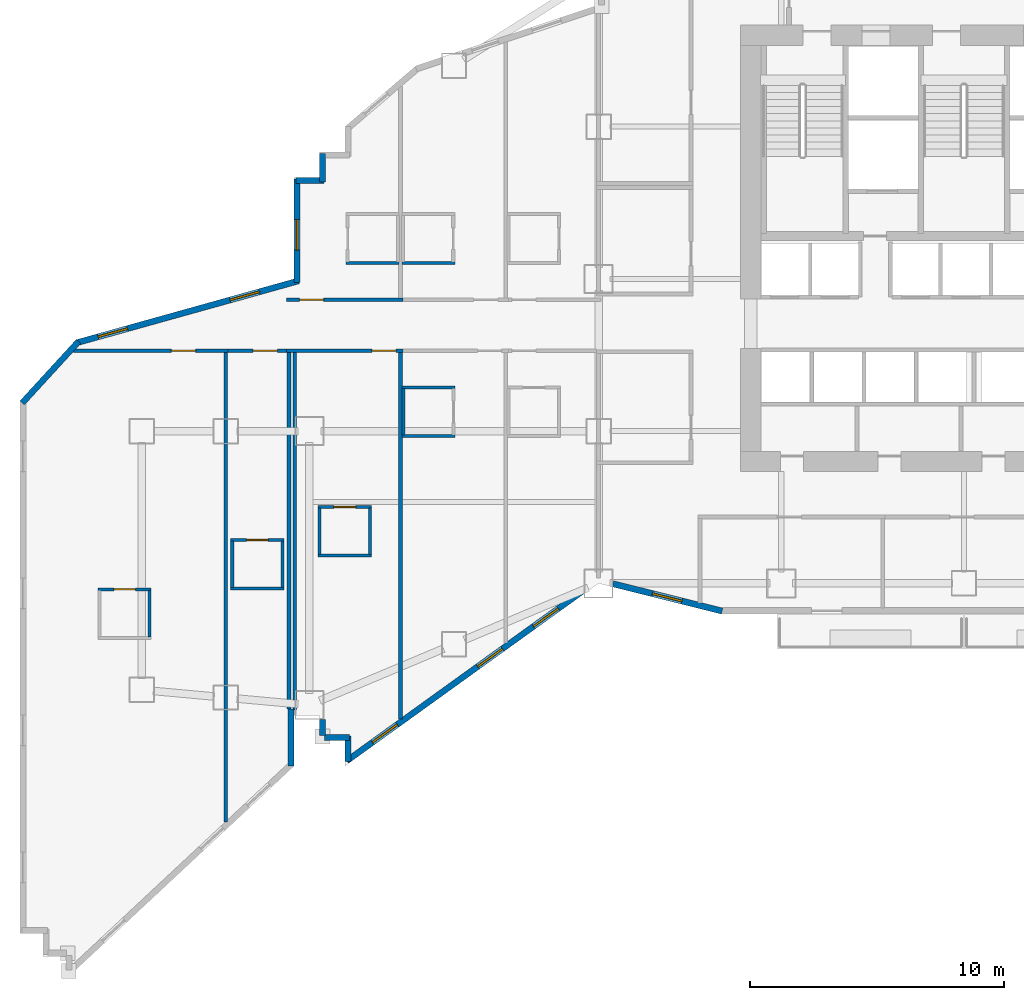
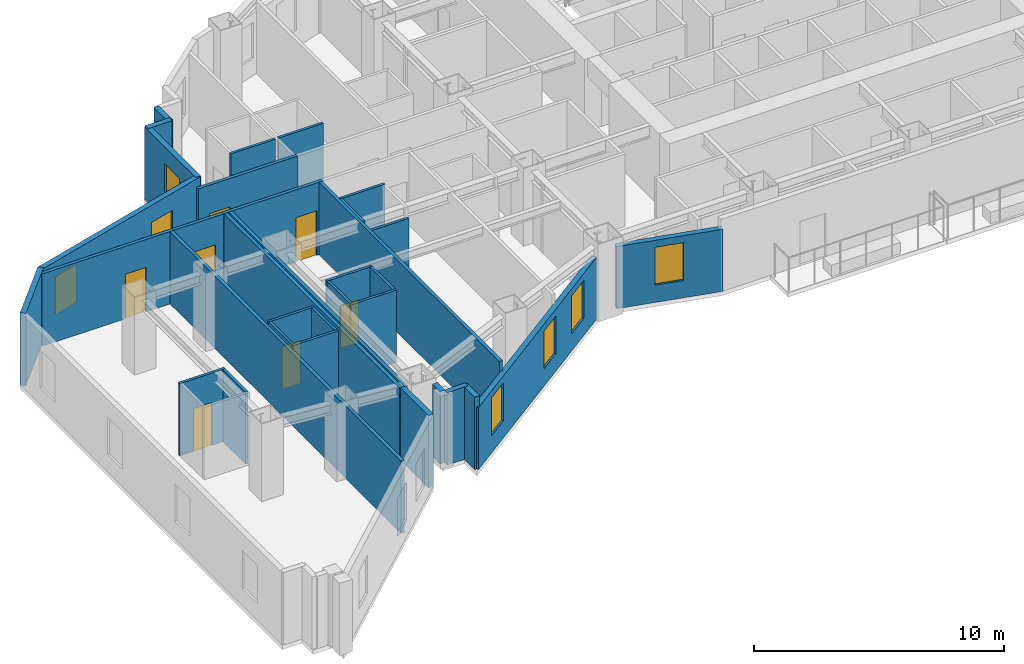
# One storey, part 7 of 16: 34 walls, 7 doors, 7 windows, 14 openings.
"""IFC4 building model written with IfcOpenShell, lengths in metres."""

import ifcopenshell
import ifcopenshell.guid

model = None  # the IFC model being written
_history = None  # IfcOwnerHistory: only IFC2X3 demands one
_inside = {}  # id of a spatial element -> (the spatial element, [elements in it])
_under = {}  # id of a project, library or spatial element -> (it, [spatial elements below it])
_declared = {}  # id of a project -> (the project, [libraries it declares])
_typed = {}  # id of a type object -> (the type object, [elements of that type])
_made_of = {}  # id of a material, layer set ... -> (it, [elements and type objects made of it])


def new_model(schema):
    """Start an empty IFC model of exactly this schema.

    Asked for "IFC4X3", IfcOpenShell would pick the latest addendum, in which some entities
    have other attributes; the version numbers below select the first issue.
    IFC2X3 requires an IfcOwnerHistory on every rooted entity: one is made here for all.
    """
    global model, _history
    if schema == "IFC4X3":
        model = ifcopenshell.file(schema_version=(4, 3, 0, 0))
    else:
        model = ifcopenshell.file(schema=schema)
    _inside.clear()
    _under.clear()
    _declared.clear()
    _typed.clear()
    _made_of.clear()
    _history = None
    if model.schema == "IFC2X3":
        org = make("IfcOrganization", Name="unknown")
        user = make(
            "IfcPersonAndOrganization",
            ThePerson=make("IfcPerson", FamilyName="unknown"),
            TheOrganization=org,
        )
        app = make(
            "IfcApplication",
            ApplicationDeveloper=org,
            Version="unknown",
            ApplicationFullName="unknown",
            ApplicationIdentifier="unknown",
        )
        _history = make(
            "IfcOwnerHistory",
            OwningUser=user,
            OwningApplication=app,
            ChangeAction="ADDED",
            CreationDate=0,
        )
    return model


def make(cls, **values):
    """One entity of the class cls with the attributes given. An attribute that is None is left unset."""
    return model.create_entity(
        cls, **{name: value for name, value in values.items() if value is not None}
    )


def rooted(cls, **values):
    """An entity with a GlobalId (a new one), such as an element, a storey or a relation."""
    return make(cls, GlobalId=ifcopenshell.guid.new(), OwnerHistory=_history, **values)


def si_unit(unit_type, name, prefix=None):
    """IfcSIUnit, for example si_unit("LENGTHUNIT", "METRE", prefix="MILLI")."""
    return make("IfcSIUnit", UnitType=unit_type, Prefix=prefix, Name=name)


def assignment(units):
    """IfcUnitAssignment: the units of a project."""
    return None if units is None else make("IfcUnitAssignment", Units=units)


def point(xyz):
    """IfcCartesianPoint."""
    return None if xyz is None else make("IfcCartesianPoint", Coordinates=xyz)


def direction(xyz):
    """IfcDirection."""
    return None if xyz is None else make("IfcDirection", DirectionRatios=xyz)


def frame(location, z_axis=None, x_axis=None):
    """IfcAxis2Placement3D, a coordinate frame: its origin and axes. An axis left out is left unset."""
    return make(
        "IfcAxis2Placement3D",
        Location=point(location),
        Axis=direction(z_axis),
        RefDirection=direction(x_axis),
    )


def frame_2d(location, x_axis=None):
    """IfcAxis2Placement2D, a coordinate frame in the plane: its origin and x axis."""
    return make(
        "IfcAxis2Placement2D", Location=point(location), RefDirection=direction(x_axis)
    )


def origin():
    """The frame at (0, 0, 0) with its axes left unset."""
    return frame((0.0, 0.0, 0.0))


def place(relative_to, where):
    """IfcLocalPlacement: puts the frame where relative to a parent placement (None: the world)."""
    return make(
        "IfcLocalPlacement", PlacementRelTo=relative_to, RelativePlacement=where
    )


def context(
    kind, dimensions, precision=None, world=None, true_north=None, identifier=None
):
    """IfcGeometricRepresentationContext, for example the 3D "Model" context."""
    return make(
        "IfcGeometricRepresentationContext",
        ContextIdentifier=identifier,
        ContextType=kind,
        CoordinateSpaceDimension=dimensions,
        Precision=precision,
        WorldCoordinateSystem=world,
        TrueNorth=true_north,
    )


def subcontext(parent, identifier, kind, view, scale=None):
    """IfcGeometricRepresentationSubContext, for example "Body" below "Model"."""
    return make(
        "IfcGeometricRepresentationSubContext",
        ContextIdentifier=identifier,
        ContextType=kind,
        ParentContext=parent,
        TargetScale=scale,
        TargetView=view,
    )


def project(units=None, contexts=None):
    """IfcProject with its units and contexts."""
    return rooted(
        "IfcProject",
        Name="project",
        RepresentationContexts=contexts,
        UnitsInContext=assignment(units),
    )


def spatial(cls, under=None, at=None, **own):
    """A site, building, storey or space (cls), placed at a placement, below another one or the project."""
    s = rooted(cls, ObjectPlacement=at, **own)
    if under is not None:
        _under.setdefault(under.id(), (under, []))[1].append(s)
    return s


def profile(cls, at=None, kind="AREA", **sizes):
    """A parametric profile (cls). Its sizes go by their IFC names, for example OverallWidth=200.0."""
    return make(cls, ProfileType=kind, Position=at, **sizes)


def rectangle(**sizes):
    """IfcRectangleProfileDef."""
    return profile("IfcRectangleProfileDef", **sizes)


def extrude(swept, where, along, depth):
    """IfcExtrudedAreaSolid: the profile swept, set in the frame where, extruded along a direction by depth."""
    return make(
        "IfcExtrudedAreaSolid",
        SweptArea=swept,
        Position=where,
        ExtrudedDirection=direction(along),
        Depth=depth,
    )


def shape(context_of_items, identifier, shape_type, items):
    """IfcShapeRepresentation: the items that make up one representation, for example the "Body"."""
    return make(
        "IfcShapeRepresentation",
        ContextOfItems=context_of_items,
        RepresentationIdentifier=identifier,
        RepresentationType=shape_type,
        Items=items,
    )


def material(Name=None, Category=None):
    """IfcMaterial."""
    return make("IfcMaterial", Name=Name, Category=Category)


def layer(
    of_material, thickness, ventilated=None, Name=None, Category=None, Priority=None
):
    """IfcMaterialLayer: one layer of a wall or slab, of a material (None: an air gap)."""
    return make(
        "IfcMaterialLayer",
        Material=of_material,
        LayerThickness=thickness,
        IsVentilated=ventilated,
        Name=Name,
        Category=Category,
        Priority=Priority,
    )


def layer_set(layers, Name=None):
    """IfcMaterialLayerSet."""
    return make("IfcMaterialLayerSet", MaterialLayers=layers, LayerSetName=Name)


def made_of(thing, what):
    """Note that an element or type object is made of a material, layer set ...; save() writes the relation."""
    if what is not None:
        _made_of.setdefault(what.id(), (what, []))[1].append(thing)
    return thing


def type_object(cls, material=None, **own):
    """A type object (cls), such as IfcWallType, which elements share."""
    return made_of(rooted(cls, **own), material)


def element(
    cls,
    number,
    at=None,
    inside=None,
    cuts=None,
    type_object=None,
    material=None,
    context=None,
    identifier="Body",
    shape_type=None,
    held_by="IfcProductDefinitionShape",
    body=None,
    shapes=None,
    **own,
):
    """One element of the class cls, such as IfcWall. Its Tag is "e" and its number.

    at: its placement. inside: the storey or other place that contains it. cuts: it is an
    opening in that element (IfcRelVoidsElement). A single representation is given by context,
    identifier, shape_type and body (its items); several are given by shapes. held_by: the class
    of the entity that holds the representations. save() writes the other relations.
    """
    e = rooted(cls, Tag="e%d" % number, ObjectPlacement=at, **own)
    if body is not None:
        shapes = [shape(context, identifier, shape_type, body)]
    if shapes is not None:
        e.Representation = make(held_by, Representations=shapes)
    if inside is not None:
        _inside.setdefault(inside.id(), (inside, []))[1].append(e)
    if cuts is not None:
        rooted(
            "IfcRelVoidsElement", RelatingBuildingElement=cuts, RelatedOpeningElement=e
        )
    if type_object is not None:
        _typed.setdefault(type_object.id(), (type_object, []))[1].append(e)
    return made_of(e, material)


def fill(opening, filler):
    """IfcRelFillsElement: the door or window that sits in an opening."""
    return rooted(
        "IfcRelFillsElement",
        RelatingOpeningElement=opening,
        RelatedBuildingElement=filler,
    )


def aggregate(whole, parts):
    """IfcRelAggregates: a whole, such as a stair, and the parts it consists of."""
    return rooted("IfcRelAggregates", RelatingObject=whole, RelatedObjects=parts)


def save(model, path):
    """Write the relations noted so far, then the file.

    IfcRelAggregates (storeys below a building ...), IfcRelContainedInSpatialStructure (elements
    in a storey), IfcRelDefinesByType, IfcRelAssociatesMaterial and IfcRelDeclares: one each for
    every whole, place, type object, material and project.
    """
    for whole, parts in _under.values():
        aggregate(whole, parts)
    for where, things in _inside.values():
        rooted(
            "IfcRelContainedInSpatialStructure",
            RelatedElements=things,
            RelatingStructure=where,
        )
    for kind, things in _typed.values():
        rooted("IfcRelDefinesByType", RelatedObjects=things, RelatingType=kind)
    for what, things in _made_of.values():
        rooted("IfcRelAssociatesMaterial", RelatedObjects=things, RelatingMaterial=what)
    for by, libraries in _declared.values():
        rooted("IfcRelDeclares", RelatingContext=by, RelatedDefinitions=libraries)
    model.write(path)


model = new_model("IFC4")

# Units and contexts
model_context = context("Model", 3, precision=1e-05, world=origin(), true_north=direction((0.0, 1.0)))
body_context = subcontext(model_context, "Body", "Model", "MODEL_VIEW")
ifc_project = project(units=[si_unit("LENGTHUNIT", "METRE"), si_unit("AREAUNIT", "SQUARE_METRE"), si_unit("VOLUMEUNIT", "CUBIC_METRE"), si_unit("PLANEANGLEUNIT", "RADIAN"), si_unit("MASSUNIT", "GRAM", prefix="KILO")], contexts=[model_context])

# Site, building, storey
site_placement = place(None, origin())
site = spatial("IfcSite", under=ifc_project, at=site_placement, CompositionType="ELEMENT")
building_placement = place(site_placement, origin())
building = spatial("IfcBuilding", under=site, at=building_placement, Name="Haolan Belvedere Tower", CompositionType="ELEMENT")
storey_placement = place(building_placement, frame((0.0, 0.0, 85.60009765625)))
storey = spatial("IfcBuildingStorey", under=building, at=storey_placement, Name="L21", CompositionType="ELEMENT", Elevation=85.60009765625)

# Walls
ifc_material_1 = material(Name="Precast concrete C40/50", Category="concrete")
ifc_layer_1 = layer(ifc_material_1, 0.239990234375, Name="Precast concrete C40/50")
ifc_layer_set_1 = layer_set([ifc_layer_1], Name="Precast concrete C40/50")
wall_type_1 = type_object("IfcWallType", Name="WL-EXT-240", PredefinedType="SOLIDWALL", material=ifc_layer_set_1)
wall_1_placement = place(storey_placement, frame((11.8798828125, 14.397216796875, 0.0), z_axis=(0.0, 0.0, 1.0), x_axis=(0.0, 1.0, 0.0)))
element("IfcWall", 1, at=wall_1_placement, inside=storey, type_object=wall_type_1, Name="L21 pale-metal exterior spandrel wall 6.1", PredefinedType="SOLIDWALL", context=body_context, shape_type="SweptSolid", body=[
    extrude(rectangle(XDim=2.24267578125, YDim=0.239990234375, at=frame_2d((1.121337890625, 0.0))), origin(), (0.0, 0.0, 1.0), 3.539794921875),
])
wall_2_placement = place(storey_placement, frame((13.1201171875, 16.23291015625, 0.0), z_axis=(0.0, 0.0, 1.0), x_axis=(0.0, -1.0, 0.0)))
element("IfcWall", 2, at=wall_2_placement, inside=storey, type_object=wall_type_1, Name="L21 pale-metal exterior spandrel wall 8.1", PredefinedType="SOLIDWALL", context=body_context, shape_type="SweptSolid", body=[
    extrude(rectangle(XDim=0.6279296875, YDim=0.239990234375, at=frame_2d((0.31396484375, 0.0))), origin(), (0.0, 0.0, 1.0), 3.539794921875),
])
wall_3_placement = place(storey_placement, frame((13.205078125, 15.52001953125, 0.0), z_axis=(0.0, 0.0, 1.0), x_axis=(1.0, 0.0, 0.0)))
element("IfcWall", 3, at=wall_3_placement, inside=storey, type_object=wall_type_1, Name="L21 pale-metal exterior spandrel wall 9.1", PredefinedType="SOLIDWALL", context=body_context, shape_type="SweptSolid", body=[
    extrude(rectangle(XDim=0.969970703125, YDim=0.239990234375, at=frame_2d((0.48486328125, 0.0))), origin(), (0.0, 0.0, 1.0), 3.539794921875),
])
wall_4_placement = place(storey_placement, frame((14.1201171875, 15.574951171875, 0.0), z_axis=(0.0, 0.0, 1.0), x_axis=(0.0, -1.0, 0.0)))
element("IfcWall", 4, at=wall_4_placement, inside=storey, type_object=wall_type_1, Name="L21 pale-metal exterior spandrel wall 10.1", PredefinedType="SOLIDWALL", context=body_context, shape_type="SweptSolid", body=[
    extrude(rectangle(XDim=0.99560546875, YDim=0.239990234375, at=frame_2d((0.497802734375, 0.0))), origin(), (0.0, 0.0, 1.0), 3.539794921875),
])

# Wall, openings, windows
wall_5_placement = place(storey_placement, frame((14.075439453125, 14.602294921875, 0.0), z_axis=(0.0, 0.0, 1.0), x_axis=(0.811543176492, 0.58429245476, 0.0)))
wall_5 = element("IfcWall", 5, at=wall_5_placement, inside=storey, type_object=wall_type_1, Name="L21 pale-metal exterior spandrel wall 11.1", PredefinedType="SOLIDWALL", context=body_context, shape_type="SweptSolid", body=[
    extrude(rectangle(XDim=11.53076171875, YDim=0.239990234375, at=frame_2d((5.765380859375, 0.0))), origin(), (0.0, 0.0, 1.0), 3.036865234375),
])
opening_1_placement = place(wall_5_placement, frame((1.246337890625, 0.0, 0.85009765625)))
opening_1 = element("IfcOpeningElement", 6, at=opening_1_placement, cuts=wall_5, Name="Opening W-01", PredefinedType="OPENING", context=body_context, shape_type="SweptSolid", body=[
    extrude(rectangle(XDim=1.199951171875, YDim=1.85009765625, at=frame_2d((0.60009765625, 0.925048828125))), frame((0.0, 0.1298828125, 0.0), z_axis=(0.0, -1.0, 0.0), x_axis=(1.0, 0.0, 0.0)), (0.0, 0.0, 1.0), 0.260009765625),
])
opening_2_placement = place(wall_5_placement, frame((6.360107421875, 0.0, 0.85009765625)))
opening_2 = element("IfcOpeningElement", 7, at=opening_2_placement, cuts=wall_5, Name="Opening W-01", PredefinedType="OPENING", context=body_context, shape_type="SweptSolid", body=[
    extrude(rectangle(XDim=1.199951171875, YDim=1.85009765625, at=frame_2d((0.60009765625, 0.925048828125))), frame((0.0, 0.1298828125, 0.0), z_axis=(0.0, -1.0, 0.0), x_axis=(1.0, 0.0, 0.0)), (0.0, 0.0, 1.0), 0.260009765625),
])
opening_3_placement = place(wall_5_placement, frame((9.069580078125, 0.0, 0.85009765625)))
opening_3 = element("IfcOpeningElement", 8, at=opening_3_placement, cuts=wall_5, Name="Opening W-01", PredefinedType="OPENING", context=body_context, shape_type="SweptSolid", body=[
    extrude(rectangle(XDim=1.199951171875, YDim=1.85009765625, at=frame_2d((0.60009765625, 0.925048828125))), frame((0.0, 0.1298828125, 0.0), z_axis=(0.0, -1.0, 0.0), x_axis=(1.0, 0.0, 0.0)), (0.0, 0.0, 1.0), 0.260009765625),
])
ifc_material_2 = material(Name="Anodised aluminium 6063-T6 and Low-E glass", Category="aluminium")
window_type = type_object("IfcWindowType", Name="WN-DECO-Z1", PartitioningType="SINGLE_PANEL", PredefinedType="WINDOW", material=ifc_material_2)
window_1_placement = place(opening_1_placement, origin())
window_1 = element("IfcWindow", 9, at=window_1_placement, inside=storey, type_object=window_type, Name="L21 Art Deco chevron window 1", OverallHeight=1.85009765625, OverallWidth=1.199951171875, PartitioningType="SINGLE_PANEL", PredefinedType="WINDOW", context=body_context, shape_type="SweptSolid", body=[
    extrude(rectangle(XDim=1.199951171875, YDim=1.85009765625, at=frame_2d((0.60009765625, 0.925048828125))), frame((0.0, 0.030029296875, 0.0), z_axis=(0.0, -1.0, 0.0), x_axis=(1.0, 0.0, 0.0)), (0.0, 0.0, 1.0), 0.06005859375),
])
fill(opening_1, window_1)
window_2_placement = place(opening_2_placement, origin())
window_2 = element("IfcWindow", 10, at=window_2_placement, inside=storey, type_object=window_type, Name="L21 Art Deco chevron window 2", OverallHeight=1.85009765625, OverallWidth=1.199951171875, PartitioningType="SINGLE_PANEL", PredefinedType="WINDOW", context=body_context, shape_type="SweptSolid", body=[
    extrude(rectangle(XDim=1.199951171875, YDim=1.85009765625, at=frame_2d((0.60009765625, 0.925048828125))), frame((0.0, 0.030029296875, 0.0), z_axis=(0.0, -1.0, 0.0), x_axis=(1.0, 0.0, 0.0)), (0.0, 0.0, 1.0), 0.06005859375),
])
fill(opening_2, window_2)
window_3_placement = place(opening_3_placement, origin())
window_3 = element("IfcWindow", 11, at=window_3_placement, inside=storey, type_object=window_type, Name="L21 Art Deco guestroom window 2", OverallHeight=1.85009765625, OverallWidth=1.199951171875, PartitioningType="SINGLE_PANEL", PredefinedType="WINDOW", context=body_context, shape_type="SweptSolid", body=[
    extrude(rectangle(XDim=1.199951171875, YDim=1.85009765625, at=frame_2d((0.60009765625, 0.925048828125))), frame((0.0, 0.030029296875, 0.0), z_axis=(0.0, -1.0, 0.0), x_axis=(1.0, 0.0, 0.0)), (0.0, 0.0, 1.0), 0.06005859375),
])
fill(opening_3, window_3)

# Wall, opening, window
wall_6_placement = place(storey_placement, frame((24.56689453125, 21.581787109375, 0.0), z_axis=(0.0, 0.0, 1.0), x_axis=(0.970148978127, -0.24250971164, 0.0)))
wall_6 = element("IfcWall", 12, at=wall_6_placement, inside=storey, type_object=wall_type_1, Name="L21 pale-metal exterior spandrel wall 12.1", PredefinedType="SOLIDWALL", context=body_context, shape_type="SweptSolid", body=[
    extrude(rectangle(XDim=4.43359375, YDim=0.239990234375, at=frame_2d((2.216796875, 0.0))), origin(), (0.0, 0.0, 1.0), 3.036865234375),
])
opening_4_placement = place(wall_6_placement, frame((1.60009765625, 0.0, 0.85009765625)))
opening_4 = element("IfcOpeningElement", 13, at=opening_4_placement, cuts=wall_6, Name="Opening W-01", PredefinedType="OPENING", context=body_context, shape_type="SweptSolid", body=[
    extrude(rectangle(XDim=1.199951171875, YDim=1.85009765625, at=frame_2d((0.60009765625, 0.925048828125))), frame((0.0, 0.1298828125, 0.0), z_axis=(0.0, -1.0, 0.0), x_axis=(1.0, 0.0, 0.0)), (0.0, 0.0, 1.0), 0.260009765625),
])
window_4_placement = place(opening_4_placement, origin())
window_4 = element("IfcWindow", 14, at=window_4_placement, inside=storey, type_object=window_type, Name="L21 Art Deco chevron window 1", OverallHeight=1.85009765625, OverallWidth=1.199951171875, PartitioningType="SINGLE_PANEL", PredefinedType="WINDOW", context=body_context, shape_type="SweptSolid", body=[
    extrude(rectangle(XDim=1.199951171875, YDim=1.85009765625, at=frame_2d((0.60009765625, 0.925048828125))), frame((0.0, 0.030029296875, 0.0), z_axis=(0.0, -1.0, 0.0), x_axis=(1.0, 0.0, 0.0)), (0.0, 0.0, 1.0), 0.06005859375),
])
fill(opening_4, window_4)

# Walls
wall_7_placement = place(storey_placement, frame((13.1201171875, 38.534912109375, 0.0), z_axis=(0.0, 0.0, 1.0), x_axis=(0.0, -1.0, 0.0)))
element("IfcWall", 15, at=wall_7_placement, inside=storey, type_object=wall_type_1, Name="L21 pale-metal exterior spandrel wall 54.1", PredefinedType="SOLIDWALL", context=body_context, shape_type="SweptSolid", body=[
    extrude(rectangle(XDim=1.10986328125, YDim=0.239990234375, at=frame_2d((0.554931640625, 0.0))), origin(), (0.0, 0.0, 1.0), 3.539794921875),
])
wall_8_placement = place(storey_placement, frame((13.175048828125, 37.47998046875, 0.0), z_axis=(0.0, 0.0, 1.0), x_axis=(-1.0, 0.0, 0.0)))
element("IfcWall", 16, at=wall_8_placement, inside=storey, type_object=wall_type_1, Name="L21 pale-metal exterior spandrel wall 55.1", PredefinedType="SOLIDWALL", context=body_context, shape_type="SweptSolid", body=[
    extrude(rectangle(XDim=1.110107421875, YDim=0.239990234375, at=frame_2d((0.55517578125, 0.0))), origin(), (0.0, 0.0, 1.0), 3.539794921875),
])

# Wall, opening, window
wall_9_placement = place(storey_placement, frame((12.1201171875, 37.534912109375, 0.0), z_axis=(0.0, 0.0, 1.0), x_axis=(0.0, -1.0, 0.0)))
wall_9 = element("IfcWall", 17, at=wall_9_placement, inside=storey, type_object=wall_type_1, Name="L21 pale-metal exterior spandrel wall 56.1", PredefinedType="SOLIDWALL", context=body_context, shape_type="SweptSolid", body=[
    extrude(rectangle(XDim=4.0810546875, YDim=0.239990234375, at=frame_2d((2.04052734375, 0.0))), origin(), (0.0, 0.0, 1.0), 3.539794921875),
])
opening_5_placement = place(wall_9_placement, frame((1.60009765625, 0.0, 0.85009765625)))
opening_5 = element("IfcOpeningElement", 18, at=opening_5_placement, cuts=wall_9, Name="Opening W-01", PredefinedType="OPENING", context=body_context, shape_type="SweptSolid", body=[
    extrude(rectangle(XDim=1.199951171875, YDim=1.85009765625, at=frame_2d((0.60009765625, 0.925048828125))), frame((0.0, 0.1298828125, 0.0), z_axis=(0.0, -1.0, 0.0), x_axis=(1.0, 0.0, 0.0)), (0.0, 0.0, 1.0), 0.260009765625),
])
window_5_placement = place(opening_5_placement, origin())
window_5 = element("IfcWindow", 19, at=window_5_placement, inside=storey, type_object=window_type, Name="L21 Art Deco chevron window 1", OverallHeight=1.85009765625, OverallWidth=1.199951171875, PartitioningType="SINGLE_PANEL", PredefinedType="WINDOW", context=body_context, shape_type="SweptSolid", body=[
    extrude(rectangle(XDim=1.199951171875, YDim=1.85009765625, at=frame_2d((0.60009765625, 0.925048828125))), frame((0.0, 0.030029296875, 0.0), z_axis=(0.0, -1.0, 0.0), x_axis=(1.0, 0.0, 0.0)), (0.0, 0.0, 1.0), 0.06005859375),
])
fill(opening_5, window_5)

# Wall, openings, windows
wall_10_placement = place(storey_placement, frame((12.173095703125, 33.523681640625, 0.0), z_axis=(0.0, 0.0, 1.0), x_axis=(-0.963197271032, -0.268795493036, 0.0)))
wall_10 = element("IfcWall", 20, at=wall_10_placement, inside=storey, type_object=wall_type_1, Name="L21 pale-metal exterior spandrel wall 57.1", PredefinedType="SOLIDWALL", context=body_context, shape_type="SweptSolid", body=[
    extrude(rectangle(XDim=9.095458984375, YDim=0.239990234375, at=frame_2d((4.5478515625, 0.0))), origin(), (0.0, 0.0, 1.0), 3.539794921875),
])
opening_6_placement = place(wall_10_placement, frame((1.60009765625, 0.0, 0.85009765625)))
opening_6 = element("IfcOpeningElement", 21, at=opening_6_placement, cuts=wall_10, Name="Opening W-01", PredefinedType="OPENING", context=body_context, shape_type="SweptSolid", body=[
    extrude(rectangle(XDim=1.199951171875, YDim=1.85009765625, at=frame_2d((0.60009765625, 0.925048828125))), frame((0.0, 0.1298828125, 0.0), z_axis=(0.0, -1.0, 0.0), x_axis=(1.0, 0.0, 0.0)), (0.0, 0.0, 1.0), 0.260009765625),
])
opening_7_placement = place(wall_10_placement, frame((7.0, 0.0, 0.85009765625)))
opening_7 = element("IfcOpeningElement", 22, at=opening_7_placement, cuts=wall_10, Name="Opening W-01", PredefinedType="OPENING", context=body_context, shape_type="SweptSolid", body=[
    extrude(rectangle(XDim=1.199951171875, YDim=1.85009765625, at=frame_2d((0.60009765625, 0.925048828125))), frame((0.0, 0.1298828125, 0.0), z_axis=(0.0, -1.0, 0.0), x_axis=(1.0, 0.0, 0.0)), (0.0, 0.0, 1.0), 0.260009765625),
])
window_6_placement = place(opening_6_placement, origin())
window_6 = element("IfcWindow", 23, at=window_6_placement, inside=storey, type_object=window_type, Name="L21 Art Deco chevron window 1", OverallHeight=1.85009765625, OverallWidth=1.199951171875, PartitioningType="SINGLE_PANEL", PredefinedType="WINDOW", context=body_context, shape_type="SweptSolid", body=[
    extrude(rectangle(XDim=1.199951171875, YDim=1.85009765625, at=frame_2d((0.60009765625, 0.925048828125))), frame((0.0, 0.030029296875, 0.0), z_axis=(0.0, -1.0, 0.0), x_axis=(1.0, 0.0, 0.0)), (0.0, 0.0, 1.0), 0.06005859375),
])
fill(opening_6, window_6)
window_7_placement = place(opening_7_placement, origin())
window_7 = element("IfcWindow", 24, at=window_7_placement, inside=storey, type_object=window_type, Name="L21 Art Deco chevron window 2", OverallHeight=1.85009765625, OverallWidth=1.199951171875, PartitioningType="SINGLE_PANEL", PredefinedType="WINDOW", context=body_context, shape_type="SweptSolid", body=[
    extrude(rectangle(XDim=1.199951171875, YDim=1.85009765625, at=frame_2d((0.60009765625, 0.925048828125))), frame((0.0, 0.030029296875, 0.0), z_axis=(0.0, -1.0, 0.0), x_axis=(1.0, 0.0, 0.0)), (0.0, 0.0, 1.0), 0.06005859375),
])
fill(opening_7, window_7)

# Wall
wall_11_placement = place(storey_placement, frame((3.50244140625, 31.134033203125, 0.0), z_axis=(0.0, 0.0, 1.0), x_axis=(-0.675781844312, -0.737101688302, 0.0)))
element("IfcWall", 25, at=wall_11_placement, inside=storey, type_object=wall_type_1, Name="L21 pale-metal exterior spandrel wall 58.1", PredefinedType="SOLIDWALL", context=body_context, shape_type="SweptSolid", body=[
    extrude(rectangle(XDim=3.28466796875, YDim=0.239990234375, at=frame_2d((1.642333984375, 0.0))), origin(), (0.0, 0.0, 1.0), 3.539794921875),
])

# Wall, opening, door
ifc_material_3 = material(Name="Double gypsum acoustic stud partition", Category="masonry")
ifc_layer_2 = layer(ifc_material_3, 0.14990234375, Name="Double gypsum acoustic stud partition")
ifc_layer_set_2 = layer_set([ifc_layer_2], Name="Double gypsum acoustic stud partition")
wall_type_2 = type_object("IfcWallType", Name="WL-PART-150", PredefinedType="PARTITIONING", material=ifc_layer_set_2)
wall_12_placement = place(storey_placement, frame((11.699951171875, 32.780029296875, 0.0), z_axis=(0.0, 0.0, 1.0), x_axis=(1.0, 0.0, 0.0)))
wall_12 = element("IfcWall", 26, at=wall_12_placement, inside=storey, type_object=wall_type_2, Name="L21 interior partition IW-L21-T2N1-S", PredefinedType="PARTITIONING", context=body_context, shape_type="SweptSolid", body=[
    extrude(rectangle(XDim=4.590087890625, YDim=0.14990234375, at=frame_2d((2.294921875, 0.0))), origin(), (0.0, 0.0, 1.0), 3.539794921875),
])
opening_8_placement = place(wall_12_placement, frame((0.515625, 0.0, 0.0)))
opening_8 = element("IfcOpeningElement", 27, at=opening_8_placement, cuts=wall_12, Name="Opening ID-02", PredefinedType="OPENING", context=body_context, shape_type="SweptSolid", body=[
    extrude(rectangle(XDim=0.949951171875, YDim=2.14990234375, at=frame_2d((0.47509765625, 1.074951171875))), frame((0.0, 0.0849609375, 0.0), z_axis=(0.0, -1.0, 0.0), x_axis=(1.0, 0.0, 0.0)), (0.0, 0.0, 1.0), 0.169921875),
])
ifc_material_4 = material(Name="Acoustic oak veneer fire-rated timber", Category="wood")
door_type_1 = type_object("IfcDoorType", Name="DR-GUEST-950", OperationType="NOTDEFINED", PredefinedType="DOOR", material=ifc_material_4)
door_1_placement = place(opening_8_placement, origin())
door_1 = element("IfcDoor", 28, at=door_1_placement, inside=storey, type_object=door_type_1, Name="L21 door ID-L21-T2N1-ENT", OperationType="SINGLE_SWING_LEFT", OverallHeight=2.14990234375, OverallWidth=0.949951171875, PredefinedType="DOOR", context=body_context, shape_type="SweptSolid", body=[
    extrude(rectangle(XDim=0.949951171875, YDim=2.14990234375, at=frame_2d((0.47509765625, 1.074951171875))), frame((0.0, 0.02490234375, 0.0), z_axis=(0.0, -1.0, 0.0), x_axis=(1.0, 0.0, 0.0)), (0.0, 0.0, 1.0), 0.050048828125),
])
fill(opening_8, door_1)

wall_13_placement = place(storey_placement, frame((11.699951171875, 30.77001953125, 0.0), z_axis=(0.0, 0.0, 1.0), x_axis=(1.0, 0.0, 0.0)))
wall_13 = element("IfcWall", 29, at=wall_13_placement, inside=storey, type_object=wall_type_2, Name="L21 interior partition IW-L21-T2S1-N", PredefinedType="PARTITIONING", context=body_context, shape_type="SweptSolid", body=[
    extrude(rectangle(XDim=4.590087890625, YDim=0.14990234375, at=frame_2d((2.294921875, 0.0))), origin(), (0.0, 0.0, 1.0), 3.539794921875),
])
opening_9_placement = place(wall_13_placement, frame((4.311279296875, 0.0, 0.0), z_axis=(0.0, 0.0, 1.0), x_axis=(-1.0, 0.0, 0.0)))
opening_9 = element("IfcOpeningElement", 30, at=opening_9_placement, cuts=wall_13, Name="Opening ID-01", PredefinedType="OPENING", context=body_context, shape_type="SweptSolid", body=[
    extrude(rectangle(XDim=0.949951171875, YDim=2.179931640625, at=frame_2d((0.47509765625, 1.08984375))), frame((0.0, 0.0849609375, 0.0), z_axis=(0.0, -1.0, 0.0), x_axis=(1.0, 0.0, 0.0)), (0.0, 0.0, 1.0), 0.169921875),
])
ifc_material_5 = material(Name="Acoustic walnut veneer fire-rated timber", Category="wood")
door_type_2 = type_object("IfcDoorType", Name="DR-SUITE-950", OperationType="NOTDEFINED", PredefinedType="DOOR", material=ifc_material_5)
door_2_placement = place(opening_9_placement, origin())
door_2 = element("IfcDoor", 31, at=door_2_placement, inside=storey, type_object=door_type_2, Name="L21 door ID-L21-T2S1-ENT", OperationType="SINGLE_SWING_RIGHT", OverallHeight=2.179931640625, OverallWidth=0.949951171875, PredefinedType="DOOR", context=body_context, shape_type="SweptSolid", body=[
    extrude(rectangle(XDim=0.949951171875, YDim=2.179931640625, at=frame_2d((0.47509765625, 1.08984375))), frame((0.0, 0.02490234375, 0.0), z_axis=(0.0, -1.0, 0.0), x_axis=(1.0, 0.0, 0.0)), (0.0, 0.0, 1.0), 0.050048828125),
])
fill(opening_9, door_2)

# Walls
wall_14_placement = place(storey_placement, frame((11.800048828125, 16.64208984375, 0.0), z_axis=(0.0, 0.0, 1.0), x_axis=(0.0, 1.0, 0.0)))
element("IfcWall", 32, at=wall_14_placement, inside=storey, type_object=wall_type_2, Name="L21 interior partition IW-L21-T2S1-W", PredefinedType="PARTITIONING", context=body_context, shape_type="SweptSolid", body=[
    extrude(rectangle(XDim=14.06787109375, YDim=0.14990234375, at=frame_2d((7.033935546875, 0.0))), origin(), (0.0, 0.0, 1.0), 3.539794921875),
])
wall_15_placement = place(storey_placement, frame((16.18994140625, 16.254150390625, 0.0), z_axis=(0.0, 0.0, 1.0), x_axis=(0.0, 1.0, 0.0)))
element("IfcWall", 33, at=wall_15_placement, inside=storey, type_object=wall_type_2, Name="L21 interior partition IW-L21-T2S1-E", PredefinedType="PARTITIONING", context=body_context, shape_type="SweptSolid", body=[
    extrude(rectangle(XDim=14.455810546875, YDim=0.14990234375, at=frame_2d((7.22802734375, 0.0))), origin(), (0.0, 0.0, 1.0), 3.539794921875),
])

# Wall, opening, door
wall_16_placement = place(storey_placement, frame((3.311279296875, 30.77001953125, 0.0), z_axis=(0.0, 0.0, 1.0), x_axis=(1.0, 0.0, 0.0)))
wall_16 = element("IfcWall", 34, at=wall_16_placement, inside=storey, type_object=wall_type_2, Name="L21 interior partition IW-L21-T1S1-N", PredefinedType="PARTITIONING", context=body_context, shape_type="SweptSolid", body=[
    extrude(rectangle(XDim=6.088623046875, YDim=0.14990234375, at=frame_2d((3.04443359375, 0.0))), origin(), (0.0, 0.0, 1.0), 3.539794921875),
])
opening_10_placement = place(wall_16_placement, frame((4.800537109375, 0.0, 0.0), z_axis=(0.0, 0.0, 1.0), x_axis=(-1.0, 0.0, 0.0)))
opening_10 = element("IfcOpeningElement", 35, at=opening_10_placement, cuts=wall_16, Name="Opening ID-01", PredefinedType="OPENING", context=body_context, shape_type="SweptSolid", body=[
    extrude(rectangle(XDim=0.949951171875, YDim=2.179931640625, at=frame_2d((0.47509765625, 1.08984375))), frame((0.0, 0.0849609375, 0.0), z_axis=(0.0, -1.0, 0.0), x_axis=(1.0, 0.0, 0.0)), (0.0, 0.0, 1.0), 0.169921875),
])
door_3_placement = place(opening_10_placement, origin())
door_3 = element("IfcDoor", 36, at=door_3_placement, inside=storey, type_object=door_type_2, Name="L21 door ID-L21-T1S1-ENT", OperationType="SINGLE_SWING_LEFT", OverallHeight=2.179931640625, OverallWidth=0.949951171875, PredefinedType="DOOR", context=body_context, shape_type="SweptSolid", body=[
    extrude(rectangle(XDim=0.949951171875, YDim=2.179931640625, at=frame_2d((0.47509765625, 1.08984375))), frame((0.0, 0.02490234375, 0.0), z_axis=(0.0, -1.0, 0.0), x_axis=(1.0, 0.0, 0.0)), (0.0, 0.0, 1.0), 0.050048828125),
])
fill(opening_10, door_3)

# Wall
wall_17_placement = place(storey_placement, frame((9.300048828125, 12.187744140625, 0.0), z_axis=(0.0, 0.0, 1.0), x_axis=(0.0, 1.0, 0.0)))
element("IfcWall", 37, at=wall_17_placement, inside=storey, type_object=wall_type_2, Name="L21 interior partition IW-L21-T1S1-E", PredefinedType="PARTITIONING", context=body_context, shape_type="SweptSolid", body=[
    extrude(rectangle(XDim=18.522216796875, YDim=0.14990234375, at=frame_2d((9.26123046875, 0.0))), origin(), (0.0, 0.0, 1.0), 3.539794921875),
])

# Wall, opening, door
wall_18_placement = place(storey_placement, frame((9.402099609375, 30.77001953125, 0.0), z_axis=(0.0, 0.0, 1.0), x_axis=(1.0, 0.0, 0.0)))
wall_18 = element("IfcWall", 38, at=wall_18_placement, inside=storey, type_object=wall_type_2, Name="L21 interior partition IW-L21-T1S2-N", PredefinedType="PARTITIONING", context=body_context, shape_type="SweptSolid", body=[
    extrude(rectangle(XDim=2.2958984375, YDim=0.14990234375, at=frame_2d((1.14794921875, 0.0))), origin(), (0.0, 0.0, 1.0), 3.539794921875),
])
opening_11_placement = place(wall_18_placement, frame((1.93408203125, 0.0, 0.0), z_axis=(0.0, 0.0, 1.0), x_axis=(-1.0, 0.0, 0.0)))
opening_11 = element("IfcOpeningElement", 39, at=opening_11_placement, cuts=wall_18, Name="Opening ID-02", PredefinedType="OPENING", context=body_context, shape_type="SweptSolid", body=[
    extrude(rectangle(XDim=0.949951171875, YDim=2.14990234375, at=frame_2d((0.47509765625, 1.074951171875))), frame((0.0, 0.0849609375, 0.0), z_axis=(0.0, -1.0, 0.0), x_axis=(1.0, 0.0, 0.0)), (0.0, 0.0, 1.0), 0.169921875),
])
door_4_placement = place(opening_11_placement, origin())
door_4 = element("IfcDoor", 40, at=door_4_placement, inside=storey, type_object=door_type_1, Name="L21 door ID-L21-T1S2-ENT", OperationType="SINGLE_SWING_RIGHT", OverallHeight=2.14990234375, OverallWidth=0.949951171875, PredefinedType="DOOR", context=body_context, shape_type="SweptSolid", body=[
    extrude(rectangle(XDim=0.949951171875, YDim=2.14990234375, at=frame_2d((0.47509765625, 1.074951171875))), frame((0.0, 0.02490234375, 0.0), z_axis=(0.0, -1.0, 0.0), x_axis=(1.0, 0.0, 0.0)), (0.0, 0.0, 1.0), 0.050048828125),
])
fill(opening_11, door_4)

# Walls
wall_19_placement = place(storey_placement, frame((12.02001953125, 16.612060546875, 0.0), z_axis=(0.0, 0.0, 1.0), x_axis=(0.0, 1.0, 0.0)))
element("IfcWall", 41, at=wall_19_placement, inside=storey, type_object=wall_type_2, Name="L21 interior partition IW-L21-T1S2-E", PredefinedType="PARTITIONING", context=body_context, shape_type="SweptSolid", body=[
    extrude(rectangle(XDim=14.097900390625, YDim=0.14990234375, at=frame_2d((7.048828125, 0.0))), origin(), (0.0, 0.0, 1.0), 3.539794921875),
])
ifc_material_6 = material(Name="Moisture-resistant gypsum tile partition", Category="masonry")
ifc_layer_3 = layer(ifc_material_6, 0.1201171875, Name="Moisture-resistant gypsum tile partition")
ifc_layer_set_3 = layer_set([ifc_layer_3], Name="Moisture-resistant gypsum tile partition")
wall_type_3 = type_object("IfcWallType", Name="WL-WET-120", PredefinedType="PARTITIONING", material=ifc_layer_set_3)
wall_20_placement = place(storey_placement, frame((14.050048828125, 34.22998046875, 0.0), z_axis=(0.0, 0.0, 1.0), x_axis=(1.0, 0.0, 0.0)))
element("IfcWall", 42, at=wall_20_placement, inside=storey, type_object=wall_type_3, Name="L21 interior partition IW-L21-T2N1-BS", PredefinedType="PARTITIONING", context=body_context, shape_type="SweptSolid", body=[
    extrude(rectangle(XDim=2.079833984375, YDim=0.1201171875, at=frame_2d((1.0400390625, 0.0))), origin(), (0.0, 0.0, 1.0), 3.539794921875),
])
wall_21_placement = place(storey_placement, frame((16.25, 34.22998046875, 0.0), z_axis=(0.0, 0.0, 1.0), x_axis=(1.0, 0.0, 0.0)))
element("IfcWall", 43, at=wall_21_placement, inside=storey, type_object=wall_type_3, Name="L21 interior partition IW-L21-T2N2-BS", PredefinedType="PARTITIONING", context=body_context, shape_type="SweptSolid", body=[
    extrude(rectangle(XDim=2.080078125, YDim=0.1201171875, at=frame_2d((1.0400390625, 0.0))), origin(), (0.0, 0.0, 1.0), 3.539794921875),
])

# Wall, opening, door
wall_22_placement = place(storey_placement, frame((12.945068359375, 24.610107421875, 0.0), z_axis=(0.0, 0.0, 1.0), x_axis=(1.0, 0.0, 0.0)))
wall_22 = element("IfcWall", 44, at=wall_22_placement, inside=storey, type_object=wall_type_3, Name="L21 interior partition IW-L21-T2S1-BN", PredefinedType="PARTITIONING", context=body_context, shape_type="SweptSolid", body=[
    extrude(rectangle(XDim=2.099853515625, YDim=0.1201171875, at=frame_2d((1.0498046875, 0.0))), origin(), (0.0, 0.0, 1.0), 3.539794921875),
])
opening_12_placement = place(wall_22_placement, frame((1.47509765625, 0.0, 0.0), z_axis=(0.0, 0.0, 1.0), x_axis=(-1.0, 0.0, 0.0)))
opening_12 = element("IfcOpeningElement", 45, at=opening_12_placement, cuts=wall_22, Name="Opening ID-05", PredefinedType="OPENING", context=body_context, shape_type="SweptSolid", body=[
    extrude(rectangle(XDim=0.85009765625, YDim=2.10009765625, at=frame_2d((0.425048828125, 1.050048828125))), frame((0.0, 0.070068359375, 0.0), z_axis=(0.0, -1.0, 0.0), x_axis=(1.0, 0.0, 0.0)), (0.0, 0.0, 1.0), 0.14013671875),
])
ifc_material_7 = material(Name="Moisture-resistant lacquered timber", Category="wood")
door_type_3 = type_object("IfcDoorType", Name="DR-BATH-850", OperationType="NOTDEFINED", PredefinedType="DOOR", material=ifc_material_7)
door_5_placement = place(opening_12_placement, origin())
door_5 = element("IfcDoor", 46, at=door_5_placement, inside=storey, type_object=door_type_3, Name="L21 door ID-L21-T2S1-BATH", OperationType="SINGLE_SWING_LEFT", OverallHeight=2.10009765625, OverallWidth=0.85009765625, PredefinedType="DOOR", context=body_context, shape_type="SweptSolid", body=[
    extrude(rectangle(XDim=0.85009765625, YDim=2.10009765625, at=frame_2d((0.425048828125, 1.050048828125))), frame((0.0, 0.02490234375, 0.0), z_axis=(0.0, -1.0, 0.0), x_axis=(1.0, 0.0, 0.0)), (0.0, 0.0, 1.0), 0.050048828125),
])
fill(opening_12, door_5)

# Walls
wall_23_placement = place(storey_placement, frame((12.945068359375, 22.68994140625, 0.0), z_axis=(0.0, 0.0, 1.0), x_axis=(1.0, 0.0, 0.0)))
element("IfcWall", 47, at=wall_23_placement, inside=storey, type_object=wall_type_3, Name="L21 interior partition IW-L21-T2S1-BS", PredefinedType="PARTITIONING", context=body_context, shape_type="SweptSolid", body=[
    extrude(rectangle(XDim=2.099853515625, YDim=0.1201171875, at=frame_2d((1.0498046875, 0.0))), origin(), (0.0, 0.0, 1.0), 3.539794921875),
])
for number, where, z_axis, x_axis, name in (
    (48, (13.0048828125, 22.735107421875, 0.0), (0.0, 0.0, 1.0), (0.0, 1.0, 0.0), "L21 interior partition IW-L21-T2S1-BW"),
    (49, (14.985107421875, 22.735107421875, 0.0), (0.0, 0.0, 1.0), (0.0, 1.0, 0.0), "L21 interior partition IW-L21-T2S1-BE"),
):
    element("IfcWall", number, at=place(storey_placement, frame(where, z_axis=z_axis, x_axis=x_axis)), inside=storey, type_object=wall_type_3, Name=name, PredefinedType="PARTITIONING", context=body_context, shape_type="SweptSolid", body=[
        extrude(rectangle(XDim=1.829833984375, YDim=0.1201171875, at=frame_2d((0.9150390625, 0.0))), origin(), (0.0, 0.0, 1.0), 3.539794921875),
    ])
wall_24_placement = place(storey_placement, frame((16.25, 29.320068359375, 0.0), z_axis=(0.0, 0.0, 1.0), x_axis=(1.0, 0.0, 0.0)))
element("IfcWall", 50, at=wall_24_placement, inside=storey, type_object=wall_type_3, Name="L21 interior partition IW-L21-T2S2-BN", PredefinedType="PARTITIONING", context=body_context, shape_type="SweptSolid", body=[
    extrude(rectangle(XDim=2.094970703125, YDim=0.1201171875, at=frame_2d((1.04736328125, 0.0))), origin(), (0.0, 0.0, 1.0), 3.539794921875),
])
wall_25_placement = place(storey_placement, frame((16.25, 27.39990234375, 0.0), z_axis=(0.0, 0.0, 1.0), x_axis=(1.0, 0.0, 0.0)))
element("IfcWall", 51, at=wall_25_placement, inside=storey, type_object=wall_type_3, Name="L21 interior partition IW-L21-T2S2-BS", PredefinedType="PARTITIONING", context=body_context, shape_type="SweptSolid", body=[
    extrude(rectangle(XDim=2.094970703125, YDim=0.1201171875, at=frame_2d((1.04736328125, 0.0))), origin(), (0.0, 0.0, 1.0), 3.036865234375),
])
wall_26_placement = place(storey_placement, frame((16.304931640625, 27.445068359375, 0.0), z_axis=(0.0, 0.0, 1.0), x_axis=(0.0, 1.0, 0.0)))
element("IfcWall", 52, at=wall_26_placement, inside=storey, type_object=wall_type_3, Name="L21 interior partition IW-L21-T2S2-BW", PredefinedType="PARTITIONING", context=body_context, shape_type="SweptSolid", body=[
    extrude(rectangle(XDim=1.829833984375, YDim=0.1201171875, at=frame_2d((0.9150390625, 0.0))), origin(), (0.0, 0.0, 1.0), 3.539794921875),
])

# Wall, opening, door
wall_27_placement = place(storey_placement, frame((4.264892578125, 21.364013671875, 0.0), z_axis=(0.0, 0.0, 1.0), x_axis=(1.0, 0.0, 0.0)))
wall_27 = element("IfcWall", 53, at=wall_27_placement, inside=storey, type_object=wall_type_3, Name="L21 interior partition IW-L21-T1S1-BN", PredefinedType="PARTITIONING", context=body_context, shape_type="SweptSolid", body=[
    extrude(rectangle(XDim=2.10009765625, YDim=0.1201171875, at=frame_2d((1.050048828125, 0.0))), origin(), (0.0, 0.0, 1.0), 3.539794921875),
])
opening_13_placement = place(wall_27_placement, frame((1.47509765625, 0.0, 0.0), z_axis=(0.0, 0.0, 1.0), x_axis=(-1.0, 0.0, 0.0)))
opening_13 = element("IfcOpeningElement", 54, at=opening_13_placement, cuts=wall_27, Name="Opening ID-05", PredefinedType="OPENING", context=body_context, shape_type="SweptSolid", body=[
    extrude(rectangle(XDim=0.85009765625, YDim=2.10009765625, at=frame_2d((0.425048828125, 1.050048828125))), frame((0.0, 0.070068359375, 0.0), z_axis=(0.0, -1.0, 0.0), x_axis=(1.0, 0.0, 0.0)), (0.0, 0.0, 1.0), 0.14013671875),
])
door_6_placement = place(opening_13_placement, origin())
door_6 = element("IfcDoor", 55, at=door_6_placement, inside=storey, type_object=door_type_3, Name="L21 door ID-L21-T1S1-BATH", OperationType="SINGLE_SWING_RIGHT", OverallHeight=2.10009765625, OverallWidth=0.85009765625, PredefinedType="DOOR", context=body_context, shape_type="SweptSolid", body=[
    extrude(rectangle(XDim=0.85009765625, YDim=2.10009765625, at=frame_2d((0.425048828125, 1.050048828125))), frame((0.0, 0.02490234375, 0.0), z_axis=(0.0, -1.0, 0.0), x_axis=(1.0, 0.0, 0.0)), (0.0, 0.0, 1.0), 0.050048828125),
])
fill(opening_13, door_6)

# Wall
wall_28_placement = place(storey_placement, frame((6.304931640625, 19.489013671875, 0.0), z_axis=(0.0, 0.0, 1.0), x_axis=(0.0, 1.0, 0.0)))
element("IfcWall", 56, at=wall_28_placement, inside=storey, type_object=wall_type_3, Name="L21 interior partition IW-L21-T1S1-BE", PredefinedType="PARTITIONING", context=body_context, shape_type="SweptSolid", body=[
    extrude(rectangle(XDim=1.830078125, YDim=0.1201171875, at=frame_2d((0.9150390625, 0.0))), origin(), (0.0, 0.0, 1.0), 3.539794921875),
])

# Wall, opening, door
wall_29_placement = place(storey_placement, frame((9.5, 23.31005859375, 0.0), z_axis=(0.0, 0.0, 1.0), x_axis=(1.0, 0.0, 0.0)))
wall_29 = element("IfcWall", 57, at=wall_29_placement, inside=storey, type_object=wall_type_3, Name="L21 interior partition IW-L21-T1S2-BN", PredefinedType="PARTITIONING", context=body_context, shape_type="SweptSolid", body=[
    extrude(rectangle(XDim=2.10009765625, YDim=0.1201171875, at=frame_2d((1.050048828125, 0.0))), origin(), (0.0, 0.0, 1.0), 3.539794921875),
])
opening_14_placement = place(wall_29_placement, frame((1.47509765625, 0.0, 0.0), z_axis=(0.0, 0.0, 1.0), x_axis=(-1.0, 0.0, 0.0)))
opening_14 = element("IfcOpeningElement", 58, at=opening_14_placement, cuts=wall_29, Name="Opening ID-05", PredefinedType="OPENING", context=body_context, shape_type="SweptSolid", body=[
    extrude(rectangle(XDim=0.85009765625, YDim=2.10009765625, at=frame_2d((0.425048828125, 1.050048828125))), frame((0.0, 0.070068359375, 0.0), z_axis=(0.0, -1.0, 0.0), x_axis=(1.0, 0.0, 0.0)), (0.0, 0.0, 1.0), 0.14013671875),
])
door_7_placement = place(opening_14_placement, origin())
door_7 = element("IfcDoor", 59, at=door_7_placement, inside=storey, type_object=door_type_3, Name="L21 door ID-L21-T1S2-BATH", OperationType="SINGLE_SWING_LEFT", OverallHeight=2.10009765625, OverallWidth=0.85009765625, PredefinedType="DOOR", context=body_context, shape_type="SweptSolid", body=[
    extrude(rectangle(XDim=0.85009765625, YDim=2.10009765625, at=frame_2d((0.425048828125, 1.050048828125))), frame((0.0, 0.02490234375, 0.0), z_axis=(0.0, -1.0, 0.0), x_axis=(1.0, 0.0, 0.0)), (0.0, 0.0, 1.0), 0.050048828125),
])
fill(opening_14, door_7)

# Walls
wall_30_placement = place(storey_placement, frame((9.5, 21.389892578125, 0.0), z_axis=(0.0, 0.0, 1.0), x_axis=(1.0, 0.0, 0.0)))
element("IfcWall", 60, at=wall_30_placement, inside=storey, type_object=wall_type_3, Name="L21 interior partition IW-L21-T1S2-BS", PredefinedType="PARTITIONING", context=body_context, shape_type="SweptSolid", body=[
    extrude(rectangle(XDim=2.10009765625, YDim=0.1201171875, at=frame_2d((1.050048828125, 0.0))), origin(), (0.0, 0.0, 1.0), 3.539794921875),
])
for number, where, z_axis, x_axis, name in (
    (61, (9.56005859375, 21.43505859375, 0.0), (0.0, 0.0, 1.0), (0.0, 1.0, 0.0), "L21 interior partition IW-L21-T1S2-BW"),
    (62, (11.5400390625, 21.43505859375, 0.0), (0.0, 0.0, 1.0), (0.0, 1.0, 0.0), "L21 interior partition IW-L21-T1S2-BE"),
):
    element("IfcWall", number, at=place(storey_placement, frame(where, z_axis=z_axis, x_axis=x_axis)), inside=storey, type_object=wall_type_3, Name=name, PredefinedType="PARTITIONING", context=body_context, shape_type="SweptSolid", body=[
        extrude(rectangle(XDim=1.829833984375, YDim=0.1201171875, at=frame_2d((0.9150390625, 0.0))), origin(), (0.0, 0.0, 1.0), 3.539794921875),
    ])

save(model, "model.ifc")
